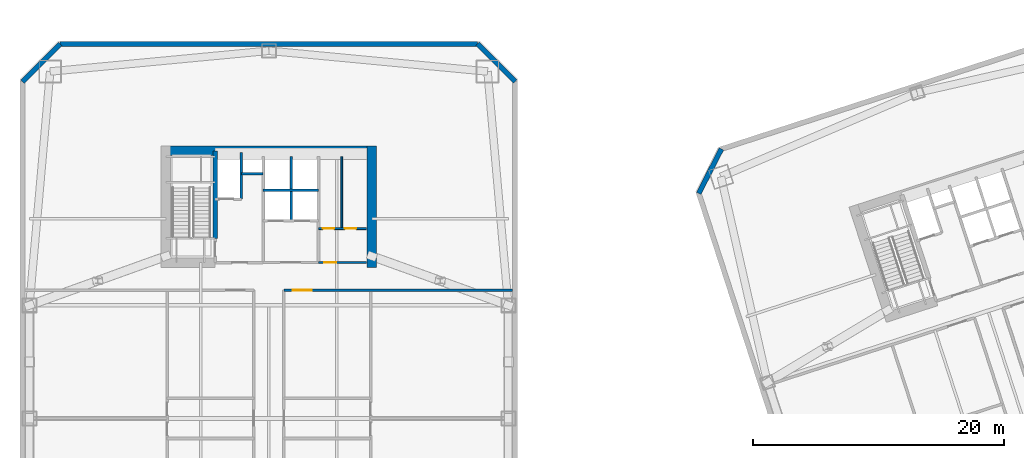
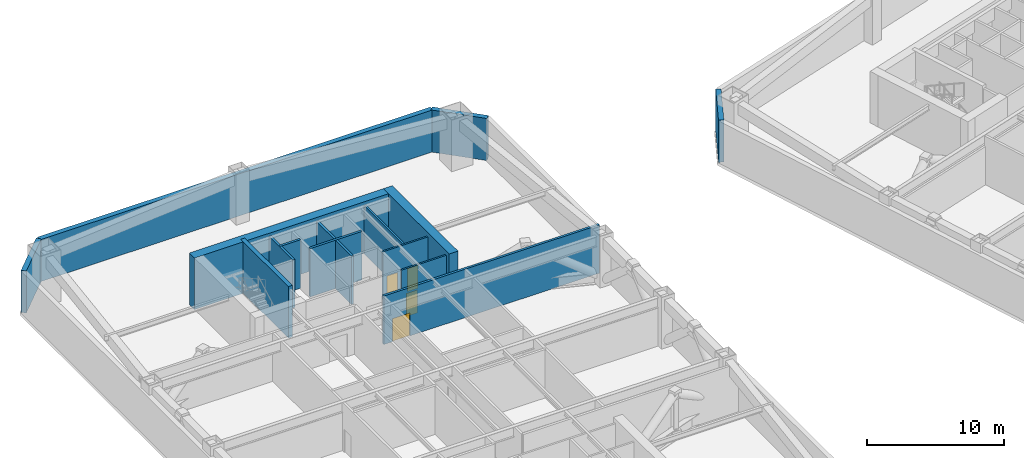
# One storey, part 11 of 16: 15 walls, 4 doors, 4 openings.
"""IFC4 building model written with IfcOpenShell, lengths in metres."""

from ifc_helpers import new_model, si_unit, direction, frame, frame_2d, origin, place, context, subcontext, project, spatial, rectangle, extrude, material, layer, layer_set, type_object, element, fill, save


model = new_model("IFC4")

# Units and contexts
model_context = context("Model", 3, precision=1e-05, world=origin(), true_north=direction((0.0, 1.0)))
body_context = subcontext(model_context, "Body", "Model", "MODEL_VIEW")
ifc_project = project(units=[si_unit("LENGTHUNIT", "METRE"), si_unit("AREAUNIT", "SQUARE_METRE"), si_unit("VOLUMEUNIT", "CUBIC_METRE"), si_unit("PLANEANGLEUNIT", "RADIAN"), si_unit("MASSUNIT", "GRAM", prefix="KILO")], contexts=[model_context])

# Site, building, storey
site_placement = place(None, origin())
site = spatial("IfcSite", under=ifc_project, at=site_placement, CompositionType="ELEMENT")
building_placement = place(site_placement, origin())
building = spatial("IfcBuilding", under=site, at=building_placement, Name="Qiaolan Cultural Towers", CompositionType="ELEMENT")
storey_placement = place(building_placement, frame((0.0, 0.0, 46.0)))
storey = spatial("IfcBuildingStorey", under=building, at=storey_placement, Name="L10", CompositionType="ELEMENT", Elevation=46.0)

# Walls
ifc_material_1 = material(Name="Concrete C50", Category="concrete")
ifc_layer_1 = layer(ifc_material_1, 0.35009765625)
ifc_layer_set_1 = layer_set([ifc_layer_1], Name="Concrete C50")
wall_type_1 = type_object("IfcWallType", Name="WL-CORE-350", PredefinedType="SHEAR", material=ifc_layer_set_1)
wall_1_placement = place(storey_placement, frame((25.719970703125, 48.300048828125, 0.0), z_axis=(0.0, 0.0, 1.0), x_axis=(0.0, 1.0, 0.0)))
element("IfcWall", 1, at=wall_1_placement, inside=storey, type_object=wall_type_1, Name="L10 T1-CN Stair Core Dividing Web", PredefinedType="SHEAR", context=body_context, shape_type="SweptSolid", body=[
    extrude(rectangle(XDim=6.97998046875, YDim=0.35009765625, at=frame_2d((3.489990234375, 0.0))), origin(), (0.0, 0.0, 1.0), 4.60009765625),
])
ifc_material_2 = material(Name="Concrete C60", Category="concrete")
ifc_layer_2 = layer(ifc_material_2, 0.75)
ifc_layer_set_2 = layer_set([ifc_layer_2], Name="Concrete C60")
wall_type_2 = type_object("IfcWallType", Name="WL-CORE-750", PredefinedType="SHEAR", material=ifc_layer_set_2)
wall_2_placement = place(storey_placement, frame((21.425048828125, 55.280029296875, 0.0), z_axis=(0.0, 0.0, 1.0), x_axis=(1.0, 0.0, 0.0)))
element("IfcWall", 2, at=wall_2_placement, inside=storey, type_object=wall_type_2, Name="L10 T1-CN Outer Core Shear Wall", PredefinedType="SHEAR", context=body_context, shape_type="SweptSolid", body=[
    extrude(rectangle(XDim=17.14990234375, YDim=0.75, at=frame_2d((8.574951171875, 0.0))), origin(), (0.0, 0.0, 1.0), 4.60009765625),
])
wall_3_placement = place(storey_placement, frame((38.199951171875, 46.02490234375, 0.0), z_axis=(0.0, 0.0, 1.0), x_axis=(0.0, 1.0, 0.0)))
element("IfcWall", 3, at=wall_3_placement, inside=storey, type_object=wall_type_2, Name="L10 T1-CN East Core Shear Wall", PredefinedType="SHEAR", context=body_context, shape_type="SweptSolid", body=[
    extrude(rectangle(XDim=9.630126953125, YDim=0.75, at=frame_2d((4.81494140625, 0.0))), origin(), (0.0, 0.0, 1.0), 4.60009765625),
])
ifc_material_3 = material(Name="Precast Concrete C50 Honed Stone Pier", Category="masonry")
ifc_layer_3 = layer(ifc_material_3, 0.39990234375)
ifc_layer_set_3 = layer_set([ifc_layer_3], Name="Precast Concrete C50 Honed Stone Pier")
wall_type_3 = type_object("IfcWallType", Name="WL-EXT-PIER-400", PredefinedType="SOLIDWALL", material=ifc_layer_set_3)
wall_4_placement = place(storey_placement, frame((10.39990234375, 60.800048828125, 0.0), z_axis=(0.0, 0.0, 1.0), x_axis=(0.707106781187, 0.707106781187, 0.0)))
element("IfcWall", 4, at=wall_4_placement, inside=storey, type_object=wall_type_3, Name="L10 West Tower Precast Pier Facade Wall F2", PredefinedType="SOLIDWALL", context=body_context, shape_type="SweptSolid", body=[
    extrude(rectangle(XDim=4.24267578125, YDim=0.39990234375, at=frame_2d((2.121337890625, 0.0))), origin(), (0.0, 0.0, 1.0), 3.760009765625),
])
wall_5_placement = place(storey_placement, frame((13.39990234375, 63.800048828125, 0.0), z_axis=(0.0, 0.0, 1.0), x_axis=(1.0, 0.0, 0.0)))
element("IfcWall", 5, at=wall_5_placement, inside=storey, type_object=wall_type_3, Name="L10 West Tower Precast Pier Facade Wall F3", PredefinedType="SOLIDWALL", context=body_context, shape_type="SweptSolid", body=[
    extrude(rectangle(XDim=33.2001953125, YDim=0.39990234375, at=frame_2d((16.60009765625, 0.0))), origin(), (0.0, 0.0, 1.0), 3.760009765625),
])
wall_6_placement = place(storey_placement, frame((46.60009765625, 63.800048828125, 0.0), z_axis=(0.0, 0.0, 1.0), x_axis=(0.707106781187, -0.707106781187, 0.0)))
element("IfcWall", 6, at=wall_6_placement, inside=storey, type_object=wall_type_3, Name="L10 West Tower Precast Pier Facade Wall F4", PredefinedType="SOLIDWALL", context=body_context, shape_type="SweptSolid", body=[
    extrude(rectangle(XDim=4.24267578125, YDim=0.39990234375, at=frame_2d((2.121337890625, 0.0))), origin(), (0.0, 0.0, 1.0), 3.760009765625),
])
wall_7_placement = place(storey_placement, frame((64.20458984375, 51.905029296875, 0.0), z_axis=(0.0, 0.0, 1.0), x_axis=(0.453958106755, 0.891023028497, 0.0)))
element("IfcWall", 7, at=wall_7_placement, inside=storey, type_object=wall_type_3, Name="L10 East Tower Precast Pier Facade Wall F2", PredefinedType="SOLIDWALL", context=body_context, shape_type="SweptSolid", body=[
    extrude(rectangle(XDim=3.9599609375, YDim=0.39990234375, at=frame_2d((1.97998046875, 0.0))), origin(), (0.0, 0.0, 1.0), 3.760009765625),
])
ifc_material_4 = material(Name="Concrete C35 Fire Wall", Category="concrete")
ifc_layer_4 = layer(ifc_material_4, 0.199951171875)
ifc_layer_set_4 = layer_set([ifc_layer_4], Name="Concrete C35 Fire Wall")
wall_type_4 = type_object("IfcWallType", Name="WL-FIRE-200", PredefinedType="PARTITIONING", material=ifc_layer_set_4)
wall_8_placement = place(storey_placement, frame((27.820068359375, 51.449951171875, 0.0), z_axis=(0.0, 0.0, 1.0), x_axis=(0.0, 1.0, 0.0)))
element("IfcWall", 8, at=wall_8_placement, inside=storey, type_object=wall_type_4, Name="L10 T1-CN Firefighting Hoistway East Wall", PredefinedType="PARTITIONING", context=body_context, shape_type="SweptSolid", body=[
    extrude(rectangle(XDim=3.699951171875, YDim=0.199951171875, at=frame_2d((1.85009765625, 0.0))), origin(), (0.0, 0.0, 1.0), 4.324951171875),
])
wall_9_placement = place(storey_placement, frame((27.820068359375, 53.47998046875, 0.0), z_axis=(0.0, 0.0, 1.0), x_axis=(1.0, 0.0, 0.0)))
element("IfcWall", 9, at=wall_9_placement, inside=storey, type_object=wall_type_4, Name="L10 T1-CN Pressurization Shaft Front Wall", PredefinedType="PARTITIONING", context=body_context, shape_type="SweptSolid", body=[
    extrude(rectangle(XDim=1.72998046875, YDim=0.199951171875, at=frame_2d((0.864990234375, 0.0))), origin(), (0.0, 0.0, 1.0), 4.324951171875),
])
wall_10_placement = place(storey_placement, frame((31.780029296875, 49.719970703125, 0.0), z_axis=(0.0, 0.0, 1.0), x_axis=(0.0, 1.0, 0.0)))
element("IfcWall", 10, at=wall_10_placement, inside=storey, type_object=wall_type_4, Name="L10 T1-CN Lift Shaft Divider Wall", PredefinedType="PARTITIONING", context=body_context, shape_type="SweptSolid", body=[
    extrude(rectangle(XDim=5.110107421875, YDim=0.199951171875, at=frame_2d((2.55517578125, 0.0))), origin(), (0.0, 0.0, 1.0), 4.324951171875),
])
wall_11_placement = place(storey_placement, frame((29.550048828125, 52.14990234375, 0.0), z_axis=(0.0, 0.0, 1.0), x_axis=(1.0, 0.0, 0.0)))
element("IfcWall", 11, at=wall_11_placement, inside=storey, type_object=wall_type_4, Name="L10 T1-CN Passenger Lift Shaft Back Wall", PredefinedType="PARTITIONING", context=body_context, shape_type="SweptSolid", body=[
    extrude(rectangle(XDim=4.39990234375, YDim=0.199951171875, at=frame_2d((2.199951171875, 0.0))), origin(), (0.0, 0.0, 1.0), 4.324951171875),
])

# Wall, opening, door
wall_12_placement = place(storey_placement, frame((31.199951171875, 44.199951171875, 0.0), z_axis=(0.0, 0.0, 1.0), x_axis=(1.0, 0.0, 0.0)))
wall_12 = element("IfcWall", 12, at=wall_12_placement, inside=storey, type_object=wall_type_4, Name="L10 T1 Fire Rated Plant/Refuge Wall NBE", PredefinedType="PARTITIONING", context=body_context, shape_type="SweptSolid", body=[
    extrude(rectangle(XDim=18.199951171875, YDim=0.199951171875, at=frame_2d((9.10009765625, 0.0))), origin(), (0.0, 0.0, 1.0), 4.324951171875),
])
opening_1_placement = place(wall_12_placement, frame((0.699951171875, 0.0, 0.0)))
opening_1 = element("IfcOpeningElement", 13, at=opening_1_placement, cuts=wall_12, Name="Opening FD-02", PredefinedType="OPENING", context=body_context, shape_type="SweptSolid", body=[
    extrude(rectangle(XDim=1.5, YDim=2.050048828125, at=frame_2d((0.75, 1.02490234375))), frame((0.0, 0.10986328125, 0.0), z_axis=(0.0, -1.0, 0.0), x_axis=(1.0, 0.0, 0.0)), (0.0, 0.0, 1.0), 0.219970703125),
])
ifc_material_5 = material(Name="Galvanized Steel Double Fire Door", Category="steel")
door_type_1 = type_object("IfcDoorType", Name="DR-FD90-1500", OperationType="NOTDEFINED", PredefinedType="DOOR", material=ifc_material_5)
door_1_placement = place(opening_1_placement, origin())
door_1 = element("IfcDoor", 14, at=door_1_placement, inside=storey, type_object=door_type_1, Name="L10 T1 East North Refuge Fire Door", OperationType="SINGLE_SWING_RIGHT", OverallHeight=2.050048828125, OverallWidth=1.5, PredefinedType="DOOR", context=body_context, shape_type="SweptSolid", body=[
    extrude(rectangle(XDim=1.5, YDim=2.050048828125, at=frame_2d((0.75, 1.02490234375))), frame((0.0, 0.02490234375, 0.0), z_axis=(0.0, -1.0, 0.0), x_axis=(1.0, 0.0, 0.0)), (0.0, 0.0, 1.0), 0.050048828125),
])
fill(opening_1, door_1)

ifc_material_6 = material(Name="Autoclaved Aerated Concrete Block B06", Category="concrete")
ifc_layer_5 = layer(ifc_material_6, 0.14990234375)
ifc_layer_set_5 = layer_set([ifc_layer_5], Name="Autoclaved Aerated Concrete Block B06")
wall_type_5 = type_object("IfcWallType", Name="WL-PART-150", PredefinedType="PARTITIONING", material=ifc_layer_set_5)
wall_13_placement = place(storey_placement, frame((33.949951171875, 46.39990234375, 0.0), z_axis=(0.0, 0.0, 1.0), x_axis=(1.0, 0.0, 0.0)))
wall_13 = element("IfcWall", 15, at=wall_13_placement, inside=storey, type_object=wall_type_5, Name="L10 T1-CN Sanitary Core Front Wall", PredefinedType="PARTITIONING", context=body_context, shape_type="SweptSolid", body=[
    extrude(rectangle(XDim=3.800048828125, YDim=0.14990234375, at=frame_2d((1.89990234375, 0.0))), origin(), (0.0, 0.0, 1.0), 4.324951171875),
])
opening_2_placement = place(wall_13_placement, frame((0.449951171875, 0.0, 0.0)))
opening_2 = element("IfcOpeningElement", 16, at=opening_2_placement, cuts=wall_13, Name="Opening ID-05", PredefinedType="OPENING", context=body_context, shape_type="SweptSolid", body=[
    extrude(rectangle(XDim=0.949951171875, YDim=2.050048828125, at=frame_2d((0.47509765625, 1.02490234375))), frame((0.0, 0.0849609375, 0.0), z_axis=(0.0, -1.0, 0.0), x_axis=(1.0, 0.0, 0.0)), (0.0, 0.0, 1.0), 0.169921875),
])
ifc_material_7 = material(Name="Fire-Rated Laminate Accessible Core Door", Category="timber")
door_type_2 = type_object("IfcDoorType", Name="DR-INT-950", OperationType="NOTDEFINED", PredefinedType="DOOR", material=ifc_material_7)
door_2_placement = place(opening_2_placement, origin())
door_2 = element("IfcDoor", 17, at=door_2_placement, inside=storey, type_object=door_type_2, Name="L10 Sanitary Vestibule Door", OperationType="SINGLE_SWING_LEFT", OverallHeight=2.050048828125, OverallWidth=0.949951171875, PredefinedType="DOOR", context=body_context, shape_type="SweptSolid", body=[
    extrude(rectangle(XDim=0.949951171875, YDim=2.050048828125, at=frame_2d((0.47509765625, 1.02490234375))), frame((0.0, 0.02490234375, 0.0), z_axis=(0.0, -1.0, 0.0), x_axis=(1.0, 0.0, 0.0)), (0.0, 0.0, 1.0), 0.050048828125),
])
fill(opening_2, door_2)

# Wall, openings, doors
wall_14_placement = place(storey_placement, frame((33.949951171875, 49.10009765625, 0.0), z_axis=(0.0, 0.0, 1.0), x_axis=(1.0, 0.0, 0.0)))
wall_14 = element("IfcWall", 18, at=wall_14_placement, inside=storey, type_object=wall_type_5, Name="L10 T1-CN Restroom Vestibule Wall", PredefinedType="PARTITIONING", context=body_context, shape_type="SweptSolid", body=[
    extrude(rectangle(XDim=3.800048828125, YDim=0.14990234375, at=frame_2d((1.89990234375, 0.0))), origin(), (0.0, 0.0, 1.0), 4.324951171875),
])
opening_3_placement = place(wall_14_placement, frame((0.35009765625, 0.0, 0.0)))
opening_3 = element("IfcOpeningElement", 19, at=opening_3_placement, cuts=wall_14, Name="Opening ID-06", PredefinedType="OPENING", context=body_context, shape_type="SweptSolid", body=[
    extrude(rectangle(XDim=0.89990234375, YDim=2.050048828125, at=frame_2d((0.449951171875, 1.02490234375))), frame((0.0, 0.0849609375, 0.0), z_axis=(0.0, -1.0, 0.0), x_axis=(1.0, 0.0, 0.0)), (0.0, 0.0, 1.0), 0.169921875),
])
opening_4_placement = place(wall_14_placement, frame((2.10009765625, 0.0, 0.0)))
opening_4 = element("IfcOpeningElement", 20, at=opening_4_placement, cuts=wall_14, Name="Opening ID-06", PredefinedType="OPENING", context=body_context, shape_type="SweptSolid", body=[
    extrude(rectangle(XDim=0.89990234375, YDim=2.050048828125, at=frame_2d((0.449951171875, 1.02490234375))), frame((0.0, 0.0849609375, 0.0), z_axis=(0.0, -1.0, 0.0), x_axis=(1.0, 0.0, 0.0)), (0.0, 0.0, 1.0), 0.169921875),
])
ifc_material_8 = material(Name="Fire-Rated Laminate Core Service Door", Category="timber")
door_type_3 = type_object("IfcDoorType", Name="DR-INT-900", OperationType="NOTDEFINED", PredefinedType="DOOR", material=ifc_material_8)
door_3_placement = place(opening_3_placement, origin())
door_3 = element("IfcDoor", 21, at=door_3_placement, inside=storey, type_object=door_type_3, Name="L10 Men Restroom Door", OperationType="SINGLE_SWING_LEFT", OverallHeight=2.050048828125, OverallWidth=0.89990234375, PredefinedType="DOOR", context=body_context, shape_type="SweptSolid", body=[
    extrude(rectangle(XDim=0.89990234375, YDim=2.050048828125, at=frame_2d((0.449951171875, 1.02490234375))), frame((0.0, 0.02490234375, 0.0), z_axis=(0.0, -1.0, 0.0), x_axis=(1.0, 0.0, 0.0)), (0.0, 0.0, 1.0), 0.050048828125),
])
fill(opening_3, door_3)
door_4_placement = place(opening_4_placement, origin())
door_4 = element("IfcDoor", 22, at=door_4_placement, inside=storey, type_object=door_type_3, Name="L10 Accessible & Women Restroom Door", OperationType="SINGLE_SWING_RIGHT", OverallHeight=2.050048828125, OverallWidth=0.89990234375, PredefinedType="DOOR", context=body_context, shape_type="SweptSolid", body=[
    extrude(rectangle(XDim=0.89990234375, YDim=2.050048828125, at=frame_2d((0.449951171875, 1.02490234375))), frame((0.0, 0.02490234375, 0.0), z_axis=(0.0, -1.0, 0.0), x_axis=(1.0, 0.0, 0.0)), (0.0, 0.0, 1.0), 0.050048828125),
])
fill(opening_4, door_4)

# Wall
wall_15_placement = place(storey_placement, frame((35.800048828125, 49.10009765625, 0.0), z_axis=(0.0, 0.0, 1.0), x_axis=(0.0, 1.0, 0.0)))
element("IfcWall", 23, at=wall_15_placement, inside=storey, type_object=wall_type_5, Name="L10 T1-CN Restroom Divider Wall", PredefinedType="PARTITIONING", context=body_context, shape_type="SweptSolid", body=[
    extrude(rectangle(XDim=5.72998046875, YDim=0.14990234375, at=frame_2d((2.864990234375, 0.0))), origin(), (0.0, 0.0, 1.0), 4.324951171875),
])

save(model, "model.ifc")
